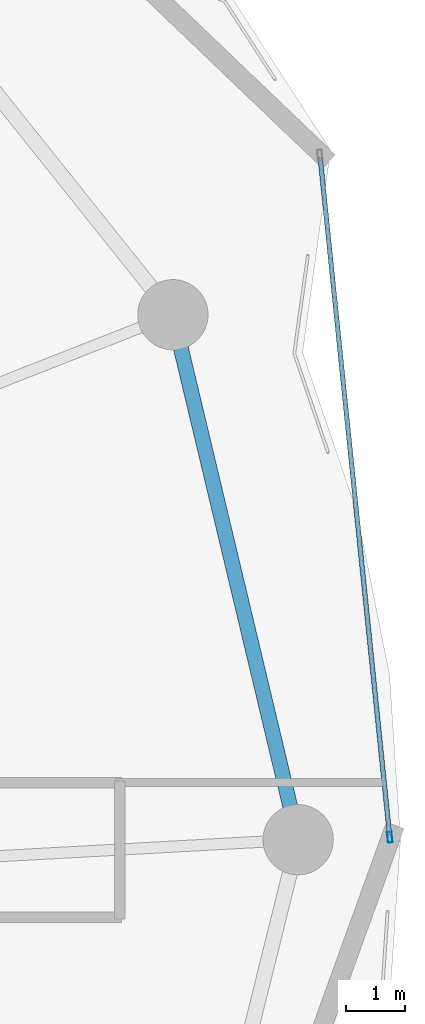
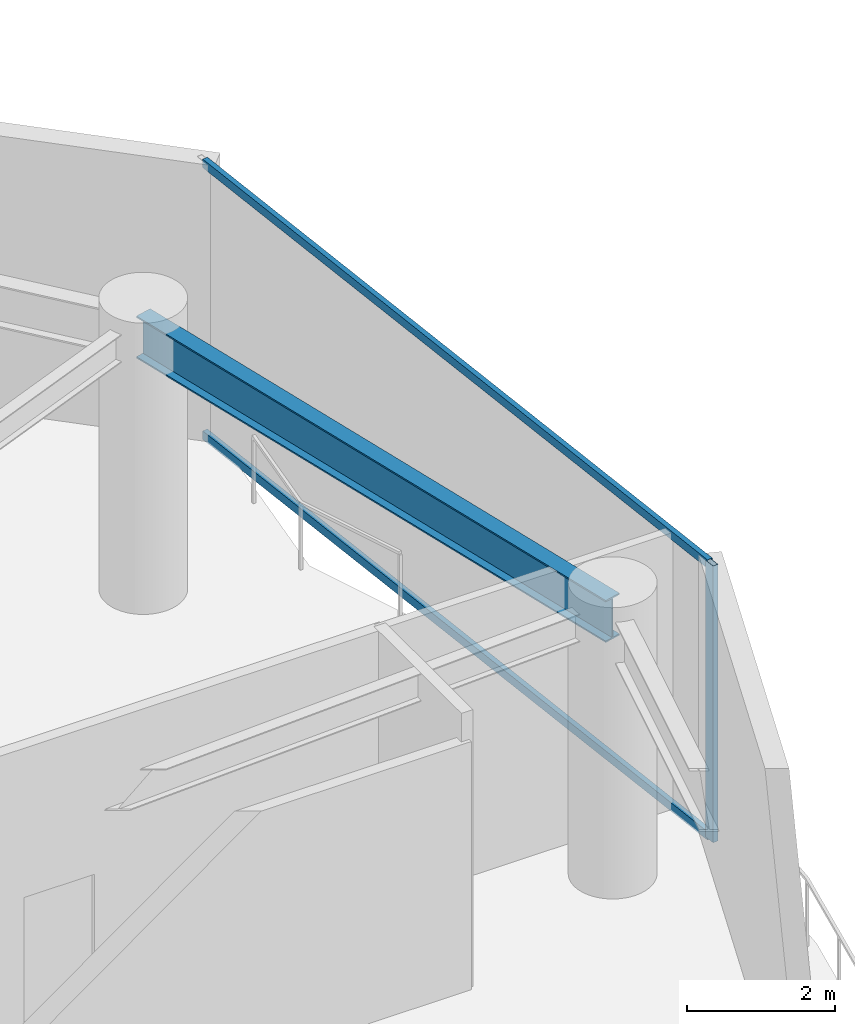
# One storey, part 15 of 30: 3 members, 1 beam, 1 element without a shape of its own.
"""IFC4 building model written with IfcOpenShell, lengths in metres."""

import ifcopenshell
import ifcopenshell.guid

model = None  # the IFC model being written
_history = None  # IfcOwnerHistory: only IFC2X3 demands one
_inside = {}  # id of a spatial element -> (the spatial element, [elements in it])
_under = {}  # id of a project, library or spatial element -> (it, [spatial elements below it])
_declared = {}  # id of a project -> (the project, [libraries it declares])
_typed = {}  # id of a type object -> (the type object, [elements of that type])
_made_of = {}  # id of a material, layer set ... -> (it, [elements and type objects made of it])


def new_model(schema):
    """Start an empty IFC model of exactly this schema.

    Asked for "IFC4X3", IfcOpenShell would pick the latest addendum, in which some entities
    have other attributes; the version numbers below select the first issue.
    IFC2X3 requires an IfcOwnerHistory on every rooted entity: one is made here for all.
    """
    global model, _history
    if schema == "IFC4X3":
        model = ifcopenshell.file(schema_version=(4, 3, 0, 0))
    else:
        model = ifcopenshell.file(schema=schema)
    _inside.clear()
    _under.clear()
    _declared.clear()
    _typed.clear()
    _made_of.clear()
    _history = None
    if model.schema == "IFC2X3":
        org = make("IfcOrganization", Name="unknown")
        user = make(
            "IfcPersonAndOrganization",
            ThePerson=make("IfcPerson", FamilyName="unknown"),
            TheOrganization=org,
        )
        app = make(
            "IfcApplication",
            ApplicationDeveloper=org,
            Version="unknown",
            ApplicationFullName="unknown",
            ApplicationIdentifier="unknown",
        )
        _history = make(
            "IfcOwnerHistory",
            OwningUser=user,
            OwningApplication=app,
            ChangeAction="ADDED",
            CreationDate=0,
        )
    return model


def make(cls, **values):
    """One entity of the class cls with the attributes given. An attribute that is None is left unset."""
    return model.create_entity(
        cls, **{name: value for name, value in values.items() if value is not None}
    )


def rooted(cls, **values):
    """An entity with a GlobalId (a new one), such as an element, a storey or a relation."""
    return make(cls, GlobalId=ifcopenshell.guid.new(), OwnerHistory=_history, **values)


def si_unit(unit_type, name, prefix=None):
    """IfcSIUnit, for example si_unit("LENGTHUNIT", "METRE", prefix="MILLI")."""
    return make("IfcSIUnit", UnitType=unit_type, Prefix=prefix, Name=name)


def assignment(units):
    """IfcUnitAssignment: the units of a project."""
    return None if units is None else make("IfcUnitAssignment", Units=units)


def point(xyz):
    """IfcCartesianPoint."""
    return None if xyz is None else make("IfcCartesianPoint", Coordinates=xyz)


def direction(xyz):
    """IfcDirection."""
    return None if xyz is None else make("IfcDirection", DirectionRatios=xyz)


def frame(location, z_axis=None, x_axis=None):
    """IfcAxis2Placement3D, a coordinate frame: its origin and axes. An axis left out is left unset."""
    return make(
        "IfcAxis2Placement3D",
        Location=point(location),
        Axis=direction(z_axis),
        RefDirection=direction(x_axis),
    )


def frame_2d(location, x_axis=None):
    """IfcAxis2Placement2D, a coordinate frame in the plane: its origin and x axis."""
    return make(
        "IfcAxis2Placement2D", Location=point(location), RefDirection=direction(x_axis)
    )


def origin():
    """The frame at (0, 0, 0) with its axes left unset."""
    return frame((0.0, 0.0, 0.0))


def origin_2d():
    """The frame at (0, 0) in the plane with its x axis left unset."""
    return frame_2d((0.0, 0.0))


def place(relative_to, where):
    """IfcLocalPlacement: puts the frame where relative to a parent placement (None: the world)."""
    return make(
        "IfcLocalPlacement", PlacementRelTo=relative_to, RelativePlacement=where
    )


def context(
    kind, dimensions, precision=None, world=None, true_north=None, identifier=None
):
    """IfcGeometricRepresentationContext, for example the 3D "Model" context."""
    return make(
        "IfcGeometricRepresentationContext",
        ContextIdentifier=identifier,
        ContextType=kind,
        CoordinateSpaceDimension=dimensions,
        Precision=precision,
        WorldCoordinateSystem=world,
        TrueNorth=true_north,
    )


def subcontext(parent, identifier, kind, view, scale=None):
    """IfcGeometricRepresentationSubContext, for example "Body" below "Model"."""
    return make(
        "IfcGeometricRepresentationSubContext",
        ContextIdentifier=identifier,
        ContextType=kind,
        ParentContext=parent,
        TargetScale=scale,
        TargetView=view,
    )


def project(units=None, contexts=None):
    """IfcProject with its units and contexts."""
    return rooted(
        "IfcProject",
        Name="project",
        RepresentationContexts=contexts,
        UnitsInContext=assignment(units),
    )


def spatial(cls, under=None, at=None, **own):
    """A site, building, storey or space (cls), placed at a placement, below another one or the project."""
    s = rooted(cls, ObjectPlacement=at, **own)
    if under is not None:
        _under.setdefault(under.id(), (under, []))[1].append(s)
    return s


def profile(cls, at=None, kind="AREA", **sizes):
    """A parametric profile (cls). Its sizes go by their IFC names, for example OverallWidth=200.0."""
    return make(cls, ProfileType=kind, Position=at, **sizes)


def hollow_rectangle(**sizes):
    """IfcRectangleHollowProfileDef."""
    return profile("IfcRectangleHollowProfileDef", **sizes)


def i_section(**sizes):
    """IfcIShapeProfileDef."""
    return profile("IfcIShapeProfileDef", **sizes)


def extrude(swept, where, along, depth):
    """IfcExtrudedAreaSolid: the profile swept, set in the frame where, extruded along a direction by depth."""
    return make(
        "IfcExtrudedAreaSolid",
        SweptArea=swept,
        Position=where,
        ExtrudedDirection=direction(along),
        Depth=depth,
    )


def shape(context_of_items, identifier, shape_type, items):
    """IfcShapeRepresentation: the items that make up one representation, for example the "Body"."""
    return make(
        "IfcShapeRepresentation",
        ContextOfItems=context_of_items,
        RepresentationIdentifier=identifier,
        RepresentationType=shape_type,
        Items=items,
    )


def material(Name=None, Category=None):
    """IfcMaterial."""
    return make("IfcMaterial", Name=Name, Category=Category)


def layer(
    of_material, thickness, ventilated=None, Name=None, Category=None, Priority=None
):
    """IfcMaterialLayer: one layer of a wall or slab, of a material (None: an air gap)."""
    return make(
        "IfcMaterialLayer",
        Material=of_material,
        LayerThickness=thickness,
        IsVentilated=ventilated,
        Name=Name,
        Category=Category,
        Priority=Priority,
    )


def layer_set(layers, Name=None):
    """IfcMaterialLayerSet."""
    return make("IfcMaterialLayerSet", MaterialLayers=layers, LayerSetName=Name)


def material_profile(
    of_material, cross_section, Name=None, Category=None, Priority=None
):
    """IfcMaterialProfile: a cross section and its material."""
    return make(
        "IfcMaterialProfile",
        Name=Name,
        Material=of_material,
        Profile=cross_section,
        Priority=Priority,
        Category=Category,
    )


def profile_set(profiles, Name=None, composite=None):
    """IfcMaterialProfileSet."""
    return make(
        "IfcMaterialProfileSet",
        Name=Name,
        MaterialProfiles=profiles,
        CompositeProfile=composite,
    )


def made_of(thing, what):
    """Note that an element or type object is made of a material, layer set ...; save() writes the relation."""
    if what is not None:
        _made_of.setdefault(what.id(), (what, []))[1].append(thing)
    return thing


def type_object(cls, material=None, **own):
    """A type object (cls), such as IfcWallType, which elements share."""
    return made_of(rooted(cls, **own), material)


def element(
    cls,
    number,
    at=None,
    inside=None,
    cuts=None,
    type_object=None,
    material=None,
    context=None,
    identifier="Body",
    shape_type=None,
    held_by="IfcProductDefinitionShape",
    body=None,
    shapes=None,
    **own,
):
    """One element of the class cls, such as IfcWall. Its Tag is "e" and its number.

    at: its placement. inside: the storey or other place that contains it. cuts: it is an
    opening in that element (IfcRelVoidsElement). A single representation is given by context,
    identifier, shape_type and body (its items); several are given by shapes. held_by: the class
    of the entity that holds the representations. save() writes the other relations.
    """
    e = rooted(cls, Tag="e%d" % number, ObjectPlacement=at, **own)
    if body is not None:
        shapes = [shape(context, identifier, shape_type, body)]
    if shapes is not None:
        e.Representation = make(held_by, Representations=shapes)
    if inside is not None:
        _inside.setdefault(inside.id(), (inside, []))[1].append(e)
    if cuts is not None:
        rooted(
            "IfcRelVoidsElement", RelatingBuildingElement=cuts, RelatedOpeningElement=e
        )
    if type_object is not None:
        _typed.setdefault(type_object.id(), (type_object, []))[1].append(e)
    return made_of(e, material)


def aggregate(whole, parts):
    """IfcRelAggregates: a whole, such as a stair, and the parts it consists of."""
    return rooted("IfcRelAggregates", RelatingObject=whole, RelatedObjects=parts)


def save(model, path):
    """Write the relations noted so far, then the file.

    IfcRelAggregates (storeys below a building ...), IfcRelContainedInSpatialStructure (elements
    in a storey), IfcRelDefinesByType, IfcRelAssociatesMaterial and IfcRelDeclares: one each for
    every whole, place, type object, material and project.
    """
    for whole, parts in _under.values():
        aggregate(whole, parts)
    for where, things in _inside.values():
        rooted(
            "IfcRelContainedInSpatialStructure",
            RelatedElements=things,
            RelatingStructure=where,
        )
    for kind, things in _typed.values():
        rooted("IfcRelDefinesByType", RelatedObjects=things, RelatingType=kind)
    for what, things in _made_of.values():
        rooted("IfcRelAssociatesMaterial", RelatedObjects=things, RelatingMaterial=what)
    for by, libraries in _declared.values():
        rooted("IfcRelDeclares", RelatingContext=by, RelatedDefinitions=libraries)
    model.write(path)


model = new_model("IFC4")

# Units and contexts
model_context = context("Model", 3, precision=1e-05, world=origin(), true_north=direction((0.0, 1.0)))
body_context = subcontext(model_context, "Body", "Model", "MODEL_VIEW")
ifc_project = project(units=[si_unit("LENGTHUNIT", "METRE"), si_unit("AREAUNIT", "SQUARE_METRE"), si_unit("VOLUMEUNIT", "CUBIC_METRE"), si_unit("PLANEANGLEUNIT", "RADIAN"), si_unit("MASSUNIT", "GRAM", prefix="KILO")], contexts=[model_context])

# Site, building, storey
site_placement = place(None, origin())
site = spatial("IfcSite", under=ifc_project, at=site_placement, CompositionType="ELEMENT")
building_placement = place(site_placement, origin())
building = spatial("IfcBuilding", under=site, at=building_placement, Name="Kazevale Care Tower and Concert Hall", CompositionType="ELEMENT")
storey_placement = place(building_placement, frame((0.0, 0.0, 97.800048828125)))
storey = spatial("IfcBuildingStorey", under=building, at=storey_placement, Name="L25", CompositionType="ELEMENT", Elevation=97.800048828125)

# Curtain wall, members
ifc_material_1 = material(Name="Aluminium 6063-T6 and Low-E Glass", Category="aluminium")
ifc_layer = layer(ifc_material_1, 0.179931640625)
ifc_layer_set = layer_set([ifc_layer], Name="Aluminium 6063-T6 and Low-E Glass")
curtain_wall_type = type_object("IfcCurtainWallType", Name="Waist & Upper Residential Curtain Wall CW-4", PredefinedType="NOTDEFINED", material=ifc_layer_set)
curtain_wall_placement = place(storey_placement, origin())
curtain_wall = element("IfcCurtainWall", 1, at=curtain_wall_placement, inside=storey, type_object=curtain_wall_type, Name="cw:L25:f18", PredefinedType="NOTDEFINED")
ifc_material_2 = material(Name="Aluminium 6063-T6", Category="aluminium")
ifc_material_profile_1 = material_profile(ifc_material_2, hollow_rectangle(XDim=0.080078125, YDim=0.179931640625, WallThickness=0.0048828125, at=origin_2d()), Name="ALU80x180x5")
ifc_profile_set_1 = profile_set([ifc_material_profile_1], Name="Aluminium 6063-T6")
member_type_1 = type_object("IfcMemberType", Name="CW-4 Mullion ALU80x180x5", PredefinedType="MULLION", material=ifc_profile_set_1)
member_1_placement = place(storey_placement, frame((74.615966796875, 38.039794921875, 0.0), z_axis=(0.0, 0.0, 1.0), x_axis=(0.994797747326, 0.101869730126, 0.0)))
member_1 = element("IfcMember", 2, at=member_1_placement, type_object=member_type_1, Name="CW-4 mullion 2", PredefinedType="MULLION", context=body_context, shape_type="SweptSolid", body=[
    extrude(hollow_rectangle(XDim=0.080078125, YDim=0.179931640625, WallThickness=0.0048828125, at=origin_2d()), origin(), (0.0, 0.0, 1.0), 4.56005859375),
])
ifc_material_profile_2 = material_profile(ifc_material_2, hollow_rectangle(XDim=0.080078125, YDim=0.139892578125, WallThickness=0.00390625, at=origin_2d()), Name="ALU80x140x4")
ifc_profile_set_2 = profile_set([ifc_material_profile_2], Name="Aluminium 6063-T6")
member_type_2 = type_object("IfcMemberType", Name="CW-4 Transom ALU80x140x4", PredefinedType="USERDEFINED", material=ifc_profile_set_2)
member_2_placement = place(storey_placement, frame((73.42626953125, 49.658447265625, 0.0400390625), z_axis=(0.101856421, -0.994799110123, 0.0), x_axis=(0.994799110123, 0.101856421, 0.0)))
member_2 = element("IfcMember", 3, at=member_2_placement, type_object=member_type_2, Name="CW-4 transom 1.1", ObjectType="TRANSOM", PredefinedType="USERDEFINED", context=body_context, shape_type="SweptSolid", body=[
    extrude(hollow_rectangle(XDim=0.080078125, YDim=0.139892578125, WallThickness=0.00390625, at=origin_2d()), origin(), (0.0, 0.0, 1.0), 11.639404296875),
])
member_3_placement = place(storey_placement, frame((73.42626953125, 49.658447265625, 4.52001953125), z_axis=(0.101856421, -0.994799110123, 0.0), x_axis=(0.994799110123, 0.101856421, 0.0)))
member_3 = element("IfcMember", 4, at=member_3_placement, type_object=member_type_2, Name="CW-4 transom 1.2", ObjectType="TRANSOM", PredefinedType="USERDEFINED", context=body_context, shape_type="SweptSolid", body=[
    extrude(hollow_rectangle(XDim=0.080078125, YDim=0.139892578125, WallThickness=0.00390625, at=origin_2d()), origin(), (0.0, 0.0, 1.0), 11.639404296875),
])
aggregate(curtain_wall, [member_1, member_2, member_3])

# Beam
ifc_material_3 = material(Name="Steel ASTM A572 Gr 50", Category="steel")
ifc_material_profile_3 = material_profile(ifc_material_3, i_section(OverallWidth=0.256103515625, OverallDepth=0.693115234375, WebThickness=0.014404296875, FlangeThickness=0.023681640625, at=origin_2d()), Name="W690x170")
ifc_profile_set_3 = profile_set([ifc_material_profile_3], Name="Steel ASTM A572 Gr 50")
beam_type = type_object("IfcBeamType", Name="Waist Ring Beam W690x170", PredefinedType="BEAM", material=ifc_profile_set_3)
beam_placement = place(storey_placement, frame((73.050048828125, 38.0, 4.21337890625), z_axis=(-0.232075055882, 0.972697881378, 0.0), x_axis=(-0.972697881378, -0.232075055882, 0.0)))
element("IfcBeam", 5, at=beam_placement, inside=storey, type_object=beam_type, Name="beam:L25:ring:01", PredefinedType="BEAM", context=body_context, shape_type="SweptSolid", body=[
    extrude(i_section(OverallWidth=0.256103515625, OverallDepth=0.693115234375, WebThickness=0.014404296875, FlangeThickness=0.023681640625, at=origin_2d()), origin(), (0.0, 0.0, 1.0), 9.2216796875),
])

save(model, "model.ifc")
